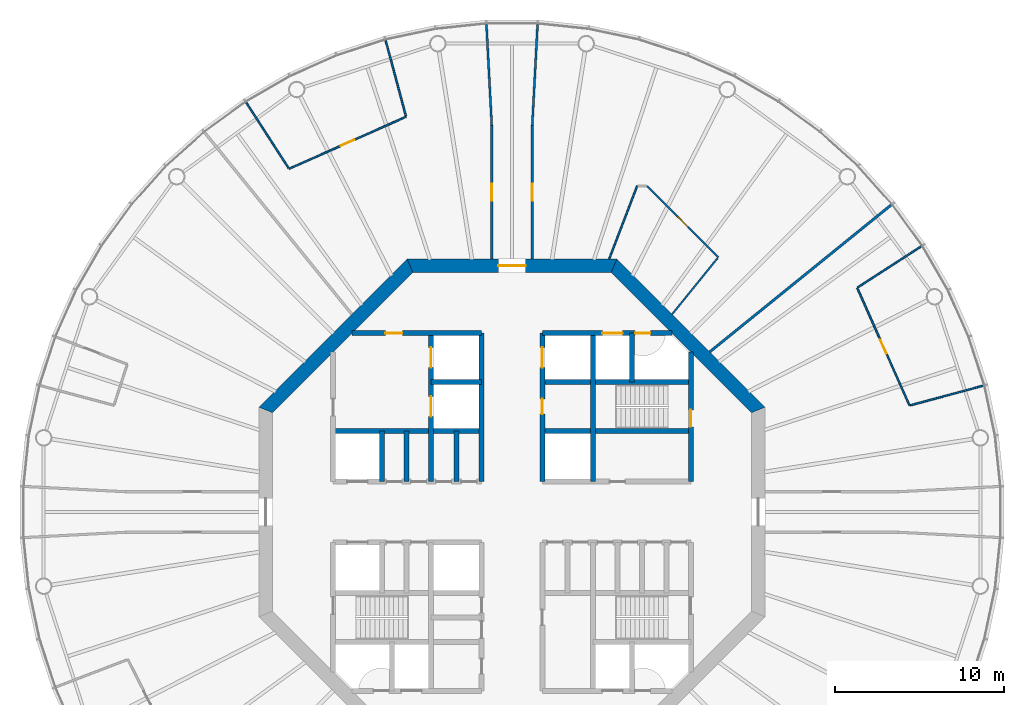
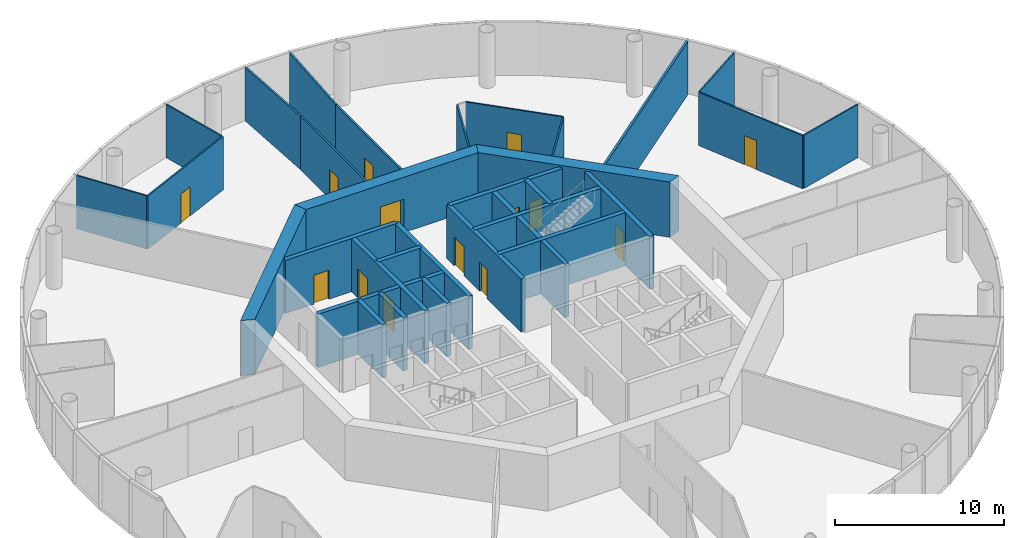
# One storey, part 5 of 13: 32 walls, 14 doors, 14 openings.
"""IFC4 building model written with IfcOpenShell, lengths in metres."""

from ifc_helpers import new_model, si_unit, direction, frame, frame_2d, origin, place, context, subcontext, project, spatial, polyline, rectangle, outline, extrude, material, layer, layer_set, type_object, element, fill, save


model = new_model("IFC4")

# Units and contexts
model_context = context("Model", 3, precision=1e-05, world=origin(), true_north=direction((0.0, 1.0)))
body_context = subcontext(model_context, "Body", "Model", "MODEL_VIEW")
ifc_project = project(units=[si_unit("LENGTHUNIT", "METRE"), si_unit("AREAUNIT", "SQUARE_METRE"), si_unit("VOLUMEUNIT", "CUBIC_METRE"), si_unit("PLANEANGLEUNIT", "RADIAN"), si_unit("MASSUNIT", "GRAM", prefix="KILO")], contexts=[model_context])

# Site, building, storey
site_placement = place(None, origin())
site = spatial("IfcSite", under=ifc_project, at=site_placement, CompositionType="ELEMENT")
building_placement = place(site_placement, origin())
building = spatial("IfcBuilding", under=site, at=building_placement, Name="Entoto Ring Tower", CompositionType="ELEMENT")
storey_placement = place(building_placement, frame((0.0, 0.0, 318.0)))
storey = spatial("IfcBuildingStorey", under=building, at=storey_placement, Name="L73", CompositionType="ELEMENT", Elevation=318.0)

# Wall, opening, door
ifc_material_1 = material(Name="Concrete C40/50", Category="concrete")
ifc_layer_1 = layer(ifc_material_1, 0.300048828125)
ifc_layer_set_1 = layer_set([ifc_layer_1], Name="Concrete C40/50")
wall_type_1 = type_object("IfcWallType", Name="Core enclosure wall 300 mm reinforced concrete", PredefinedType="SOLIDWALL", material=ifc_layer_set_1)
wall_1_placement = place(storey_placement, frame((100.60009765625, 81.800048828125, 0.0), z_axis=(0.0, 0.0, 1.0), x_axis=(0.0, 1.0, 0.0)))
wall_1 = element("IfcWall", 1, at=wall_1_placement, inside=storey, type_object=wall_type_1, Name="wall-L73-002", PredefinedType="SOLIDWALL", context=body_context, shape_type="SweptSolid", body=[
    extrude(rectangle(XDim=7.681640625, YDim=0.300048828125, at=frame_2d((3.8408203125, 0.0))), origin(), (0.0, 0.0, 1.0), 3.85009765625),
])
opening_1_placement = place(wall_1_placement, frame((3.25, 0.0, 0.0)))
opening_1 = element("IfcOpeningElement", 2, at=opening_1_placement, cuts=wall_1, Name="Opening K-29", PredefinedType="OPENING", context=body_context, shape_type="SweptSolid", body=[
    extrude(rectangle(XDim=1.0, YDim=2.10009765625, at=frame_2d((0.5, 1.050048828125))), frame((0.0, 0.16015625, 0.0), z_axis=(0.0, -1.0, 0.0), x_axis=(1.0, 0.0, 0.0)), (0.0, 0.0, 1.0), 0.320068359375),
])
ifc_material_2 = material(Name="Steel door leaf, fire rated", Category="steel")
ifc_layer_2 = layer(ifc_material_2, 0.050048828125)
ifc_layer_set_2 = layer_set([ifc_layer_2], Name="Steel door leaf, fire rated")
door_type_1 = type_object("IfcDoorType", Name="Fire door FD60 1000 x 2100 single leaf", OperationType="NOTDEFINED", PredefinedType="DOOR", material=ifc_layer_set_2)
door_1_placement = place(opening_1_placement, origin())
door_1 = element("IfcDoor", 3, at=door_1_placement, inside=storey, type_object=door_type_1, Name="Door K-29", OperationType="SINGLE_SWING_LEFT", OverallHeight=2.10009765625, OverallWidth=1.0, PredefinedType="DOOR", context=body_context, shape_type="SweptSolid", body=[
    extrude(rectangle(XDim=1.0, YDim=2.10009765625, at=frame_2d((0.5, 1.050048828125))), frame((0.0, 0.02490234375, 0.0), z_axis=(0.0, -1.0, 0.0), x_axis=(1.0, 0.0, 0.0)), (0.0, 0.0, 1.0), 0.050048828125),
])
fill(opening_1, door_1)

# Walls
wall_2_placement = place(storey_placement, frame((97.10009765625, 87.699951171875, 0.0), z_axis=(0.0, 0.0, 1.0), x_axis=(0.0, 1.0, 0.0)))
element("IfcWall", 4, at=wall_2_placement, inside=storey, type_object=wall_type_1, Name="wall-L73-006", PredefinedType="SOLIDWALL", context=body_context, shape_type="SweptSolid", body=[
    extrude(rectangle(XDim=2.900146484375, YDim=0.300048828125, at=frame_2d((1.4501953125, 0.0))), origin(), (0.0, 0.0, 1.0), 3.85009765625),
])
wall_3_placement = place(storey_placement, frame((94.800048828125, 81.800048828125, 0.0), z_axis=(0.0, 0.0, 1.0), x_axis=(0.0, 1.0, 0.0)))
element("IfcWall", 5, at=wall_3_placement, inside=storey, type_object=wall_type_1, Name="wall-L73-009", PredefinedType="SOLIDWALL", context=body_context, shape_type="SweptSolid", body=[
    extrude(rectangle(XDim=8.800048828125, YDim=0.300048828125, at=frame_2d((4.39990234375, 0.0))), origin(), (0.0, 0.0, 1.0), 3.85009765625),
])

# Wall, openings, doors
wall_4_placement = place(storey_placement, frame((91.800048828125, 81.800048828125, 0.0), z_axis=(0.0, 0.0, 1.0), x_axis=(0.0, 1.0, 0.0)))
wall_4 = element("IfcWall", 6, at=wall_4_placement, inside=storey, type_object=wall_type_1, Name="wall-L73-012", PredefinedType="SOLIDWALL", context=body_context, shape_type="SweptSolid", body=[
    extrude(rectangle(XDim=8.800048828125, YDim=0.300048828125, at=frame_2d((4.39990234375, 0.0))), origin(), (0.0, 0.0, 1.0), 3.85009765625),
])
opening_2_placement = place(wall_4_placement, frame((6.75, 0.0, 0.0)))
opening_2 = element("IfcOpeningElement", 7, at=opening_2_placement, cuts=wall_4, Name="Opening LD", PredefinedType="OPENING", context=body_context, shape_type="SweptSolid", body=[
    extrude(rectangle(XDim=1.199951171875, YDim=2.10009765625, at=frame_2d((0.60009765625, 1.050048828125))), frame((0.0, 0.16015625, 0.0), z_axis=(0.0, -1.0, 0.0), x_axis=(1.0, 0.0, 0.0)), (0.0, 0.0, 1.0), 0.320068359375),
])
opening_3_placement = place(wall_4_placement, frame((4.0, 0.0, 0.0)))
opening_3 = element("IfcOpeningElement", 8, at=opening_3_placement, cuts=wall_4, Name="Opening K-63", PredefinedType="OPENING", context=body_context, shape_type="SweptSolid", body=[
    extrude(rectangle(XDim=0.89990234375, YDim=2.10009765625, at=frame_2d((0.449951171875, 1.050048828125))), frame((0.0, 0.16015625, 0.0), z_axis=(0.0, -1.0, 0.0), x_axis=(1.0, 0.0, 0.0)), (0.0, 0.0, 1.0), 0.320068359375),
])
ifc_material_3 = material(Name="Steel door leaf, fire rated", Category="steel")
ifc_layer_3 = layer(ifc_material_3, 0.050048828125)
ifc_layer_set_3 = layer_set([ifc_layer_3], Name="Steel door leaf, fire rated")
door_type_2 = type_object("IfcDoorType", Name="Core door 900 x 2100 single leaf", OperationType="NOTDEFINED", PredefinedType="DOOR", material=ifc_layer_set_3)
door_2_placement = place(opening_3_placement, frame((0.89990234375, 0.0, 0.0), z_axis=(0.0, 0.0, 1.0), x_axis=(-1.0, 0.0, 0.0)))
door_2 = element("IfcDoor", 9, at=door_2_placement, inside=storey, type_object=door_type_2, Name="Door K-63", OperationType="SINGLE_SWING_RIGHT", OverallHeight=2.10009765625, OverallWidth=0.89990234375, PredefinedType="DOOR", context=body_context, shape_type="SweptSolid", body=[
    extrude(rectangle(XDim=0.89990234375, YDim=2.10009765625, at=frame_2d((0.449951171875, 1.050048828125))), frame((0.0, 0.02490234375, 0.0), z_axis=(0.0, -1.0, 0.0), x_axis=(1.0, 0.0, 0.0)), (0.0, 0.0, 1.0), 0.050048828125),
])
fill(opening_3, door_2)
ifc_material_4 = material(Name="Steel and glass door leaf", Category="steel")
ifc_layer_4 = layer(ifc_material_4, 0.050048828125)
ifc_layer_set_4 = layer_set([ifc_layer_4], Name="Steel and glass door leaf")
door_type_3 = type_object("IfcDoorType", Name="Landing door 1200 x 2100 sliding", OperationType="DOUBLE_DOOR_SLIDING", PredefinedType="DOOR", material=ifc_layer_set_4)
door_3_placement = place(opening_2_placement, origin())
door_3 = element("IfcDoor", 10, at=door_3_placement, inside=storey, type_object=door_type_3, Name="Landing door SH3", OperationType="SLIDING_TO_RIGHT", OverallHeight=2.10009765625, OverallWidth=1.199951171875, PredefinedType="DOOR", context=body_context, shape_type="SweptSolid", body=[
    extrude(rectangle(XDim=1.199951171875, YDim=2.10009765625, at=frame_2d((0.60009765625, 1.050048828125))), frame((0.0, 0.02490234375, 0.0), z_axis=(0.0, -1.0, 0.0), x_axis=(1.0, 0.0, 0.0)), (0.0, 0.0, 1.0), 0.050048828125),
])
fill(opening_2, door_3)

# Walls
wall_5_placement = place(storey_placement, frame((88.199951171875, 81.800048828125, 0.0), z_axis=(0.0, 0.0, 1.0), x_axis=(0.0, 1.0, 0.0)))
element("IfcWall", 11, at=wall_5_placement, inside=storey, type_object=wall_type_1, Name="wall-L73-014", PredefinedType="SOLIDWALL", context=body_context, shape_type="SweptSolid", body=[
    extrude(rectangle(XDim=8.800048828125, YDim=0.300048828125, at=frame_2d((4.39990234375, 0.0))), origin(), (0.0, 0.0, 1.0), 3.85009765625),
])
wall_6_placement = place(storey_placement, frame((86.699951171875, 81.800048828125, 0.0), z_axis=(0.0, 0.0, 1.0), x_axis=(0.0, 1.0, 0.0)))
element("IfcWall", 12, at=wall_6_placement, inside=storey, type_object=wall_type_1, Name="wall-L73-015", PredefinedType="SOLIDWALL", context=body_context, shape_type="SweptSolid", body=[
    extrude(rectangle(XDim=3.0, YDim=0.300048828125, at=frame_2d((1.5, 0.0))), origin(), (0.0, 0.0, 1.0), 3.85009765625),
])

# Wall, openings, doors
wall_7_placement = place(storey_placement, frame((85.199951171875, 81.800048828125, 0.0), z_axis=(0.0, 0.0, 1.0), x_axis=(0.0, 1.0, 0.0)))
wall_7 = element("IfcWall", 13, at=wall_7_placement, inside=storey, type_object=wall_type_1, Name="wall-L73-017", PredefinedType="SOLIDWALL", context=body_context, shape_type="SweptSolid", body=[
    extrude(rectangle(XDim=8.800048828125, YDim=0.300048828125, at=frame_2d((4.39990234375, 0.0))), origin(), (0.0, 0.0, 1.0), 3.85009765625),
])
opening_4_placement = place(wall_7_placement, frame((3.85009765625, 0.0, 0.0)))
opening_4 = element("IfcOpeningElement", 14, at=opening_4_placement, cuts=wall_7, Name="Opening LD", PredefinedType="OPENING", context=body_context, shape_type="SweptSolid", body=[
    extrude(rectangle(XDim=1.199951171875, YDim=2.10009765625, at=frame_2d((0.60009765625, 1.050048828125))), frame((0.0, 0.16015625, 0.0), z_axis=(0.0, -1.0, 0.0), x_axis=(1.0, 0.0, 0.0)), (0.0, 0.0, 1.0), 0.320068359375),
])
opening_5_placement = place(wall_7_placement, frame((6.75, 0.0, 0.0)))
opening_5 = element("IfcOpeningElement", 15, at=opening_5_placement, cuts=wall_7, Name="Opening LD", PredefinedType="OPENING", context=body_context, shape_type="SweptSolid", body=[
    extrude(rectangle(XDim=1.199951171875, YDim=2.10009765625, at=frame_2d((0.60009765625, 1.050048828125))), frame((0.0, 0.16015625, 0.0), z_axis=(0.0, -1.0, 0.0), x_axis=(1.0, 0.0, 0.0)), (0.0, 0.0, 1.0), 0.320068359375),
])
door_4_placement = place(opening_4_placement, origin())
door_4 = element("IfcDoor", 16, at=door_4_placement, inside=storey, type_object=door_type_3, Name="Landing door FF1", OperationType="SLIDING_TO_RIGHT", OverallHeight=2.10009765625, OverallWidth=1.199951171875, PredefinedType="DOOR", context=body_context, shape_type="SweptSolid", body=[
    extrude(rectangle(XDim=1.199951171875, YDim=2.10009765625, at=frame_2d((0.60009765625, 1.050048828125))), frame((0.0, 0.02490234375, 0.0), z_axis=(0.0, -1.0, 0.0), x_axis=(1.0, 0.0, 0.0)), (0.0, 0.0, 1.0), 0.050048828125),
])
fill(opening_4, door_4)
door_5_placement = place(opening_5_placement, origin())
door_5 = element("IfcDoor", 17, at=door_5_placement, inside=storey, type_object=door_type_3, Name="Landing door FF2", OperationType="SLIDING_TO_RIGHT", OverallHeight=2.10009765625, OverallWidth=1.199951171875, PredefinedType="DOOR", context=body_context, shape_type="SweptSolid", body=[
    extrude(rectangle(XDim=1.199951171875, YDim=2.10009765625, at=frame_2d((0.60009765625, 1.050048828125))), frame((0.0, 0.02490234375, 0.0), z_axis=(0.0, -1.0, 0.0), x_axis=(1.0, 0.0, 0.0)), (0.0, 0.0, 1.0), 0.050048828125),
])
fill(opening_5, door_5)

# Walls
for number, where, z_axis, x_axis, name in (
    (18, (83.75, 81.800048828125, 0.0), (0.0, 0.0, 1.0), (0.0, 1.0, 0.0), "wall-L73-019"),
    (19, (82.300048828125, 81.800048828125, 0.0), (0.0, 0.0, 1.0), (0.0, 1.0, 0.0), "wall-L73-022"),
):
    element("IfcWall", number, at=place(storey_placement, frame(where, z_axis=z_axis, x_axis=x_axis)), inside=storey, type_object=wall_type_1, Name=name, PredefinedType="SOLIDWALL", context=body_context, shape_type="SweptSolid", body=[
        extrude(rectangle(XDim=3.0, YDim=0.300048828125, at=frame_2d((1.5, 0.0))), origin(), (0.0, 0.0, 1.0), 3.85009765625),
    ])
for number, where, z_axis, x_axis, name in (
    (20, (79.39990234375, 84.800048828125, 0.0), (0.0, 0.0, 1.0), (1.0, 0.0, 0.0), "wall-L73-036"),
    (21, (91.800048828125, 84.800048828125, 0.0), (0.0, 0.0, 1.0), (1.0, 0.0, 0.0), "wall-L73-037"),
):
    element("IfcWall", number, at=place(storey_placement, frame(where, z_axis=z_axis, x_axis=x_axis)), inside=storey, type_object=wall_type_1, Name=name, PredefinedType="SOLIDWALL", context=body_context, shape_type="SweptSolid", body=[
        extrude(rectangle(XDim=8.800048828125, YDim=0.300048828125, at=frame_2d((4.39990234375, 0.0))), origin(), (0.0, 0.0, 1.0), 3.85009765625),
    ])
wall_8_placement = place(storey_placement, frame((85.199951171875, 87.699951171875, 0.0), z_axis=(0.0, 0.0, 1.0), x_axis=(1.0, 0.0, 0.0)))
element("IfcWall", 22, at=wall_8_placement, inside=storey, type_object=wall_type_1, Name="wall-L73-038", PredefinedType="SOLIDWALL", context=body_context, shape_type="SweptSolid", body=[
    extrude(rectangle(XDim=3.0, YDim=0.300048828125, at=frame_2d((1.5, 0.0))), origin(), (0.0, 0.0, 1.0), 3.85009765625),
])
wall_9_placement = place(storey_placement, frame((91.800048828125, 87.699951171875, 0.0), z_axis=(0.0, 0.0, 1.0), x_axis=(1.0, 0.0, 0.0)))
element("IfcWall", 23, at=wall_9_placement, inside=storey, type_object=wall_type_1, Name="wall-L73-039", PredefinedType="SOLIDWALL", context=body_context, shape_type="SweptSolid", body=[
    extrude(rectangle(XDim=8.800048828125, YDim=0.300048828125, at=frame_2d((4.39990234375, 0.0))), origin(), (0.0, 0.0, 1.0), 3.85009765625),
])

# Wall, opening, door
wall_10_placement = place(storey_placement, frame((80.518310546875, 90.60009765625, 0.0), z_axis=(0.0, 0.0, 1.0), x_axis=(1.0, 0.0, 0.0)))
wall_10 = element("IfcWall", 24, at=wall_10_placement, inside=storey, type_object=wall_type_1, Name="wall-L73-040", PredefinedType="SOLIDWALL", context=body_context, shape_type="SweptSolid", body=[
    extrude(rectangle(XDim=7.681640625, YDim=0.300048828125, at=frame_2d((3.8408203125, 0.0))), origin(), (0.0, 0.0, 1.0), 3.85009765625),
])
opening_6_placement = place(wall_10_placement, frame((1.981689453125, 0.0, 0.0)))
opening_6 = element("IfcOpeningElement", 25, at=opening_6_placement, cuts=wall_10, Name="Opening K-36", PredefinedType="OPENING", context=body_context, shape_type="SweptSolid", body=[
    extrude(rectangle(XDim=1.0, YDim=2.10009765625, at=frame_2d((0.5, 1.050048828125))), frame((0.0, 0.16015625, 0.0), z_axis=(0.0, -1.0, 0.0), x_axis=(1.0, 0.0, 0.0)), (0.0, 0.0, 1.0), 0.320068359375),
])
door_6_placement = place(opening_6_placement, frame((1.0, 0.0, 0.0), z_axis=(0.0, 0.0, 1.0), x_axis=(-1.0, 0.0, 0.0)))
door_6 = element("IfcDoor", 26, at=door_6_placement, inside=storey, type_object=door_type_1, Name="Door K-36", OperationType="SINGLE_SWING_LEFT", OverallHeight=2.10009765625, OverallWidth=1.0, PredefinedType="DOOR", context=body_context, shape_type="SweptSolid", body=[
    extrude(rectangle(XDim=1.0, YDim=2.10009765625, at=frame_2d((0.5, 1.050048828125))), frame((0.0, 0.02490234375, 0.0), z_axis=(0.0, -1.0, 0.0), x_axis=(1.0, 0.0, 0.0)), (0.0, 0.0, 1.0), 0.050048828125),
])
fill(opening_6, door_6)

# Wall, openings, doors
wall_11_placement = place(storey_placement, frame((91.800048828125, 90.60009765625, 0.0), z_axis=(0.0, 0.0, 1.0), x_axis=(1.0, 0.0, 0.0)))
wall_11 = element("IfcWall", 27, at=wall_11_placement, inside=storey, type_object=wall_type_1, Name="wall-L73-041", PredefinedType="SOLIDWALL", context=body_context, shape_type="SweptSolid", body=[
    extrude(rectangle(XDim=7.681640625, YDim=0.300048828125, at=frame_2d((3.8408203125, 0.0))), origin(), (0.0, 0.0, 1.0), 3.85009765625),
])
opening_7_placement = place(wall_11_placement, frame((3.550048828125, 0.0, 0.0)))
opening_7 = element("IfcOpeningElement", 28, at=opening_7_placement, cuts=wall_11, Name="Opening LD", PredefinedType="OPENING", context=body_context, shape_type="SweptSolid", body=[
    extrude(rectangle(XDim=1.199951171875, YDim=2.10009765625, at=frame_2d((0.60009765625, 1.050048828125))), frame((0.0, 0.16015625, 0.0), z_axis=(0.0, -1.0, 0.0), x_axis=(1.0, 0.0, 0.0)), (0.0, 0.0, 1.0), 0.320068359375),
])
opening_8_placement = place(wall_11_placement, frame((5.5, 0.0, 0.0)))
opening_8 = element("IfcOpeningElement", 29, at=opening_8_placement, cuts=wall_11, Name="Opening K-32", PredefinedType="OPENING", context=body_context, shape_type="SweptSolid", body=[
    extrude(rectangle(XDim=0.89990234375, YDim=2.10009765625, at=frame_2d((0.449951171875, 1.050048828125))), frame((0.0, 0.16015625, 0.0), z_axis=(0.0, -1.0, 0.0), x_axis=(1.0, 0.0, 0.0)), (0.0, 0.0, 1.0), 0.320068359375),
])
door_7_placement = place(opening_7_placement, origin())
door_7 = element("IfcDoor", 30, at=door_7_placement, inside=storey, type_object=door_type_3, Name="Landing door LB1-HR", OperationType="SLIDING_TO_RIGHT", OverallHeight=2.10009765625, OverallWidth=1.199951171875, PredefinedType="DOOR", context=body_context, shape_type="SweptSolid", body=[
    extrude(rectangle(XDim=1.199951171875, YDim=2.10009765625, at=frame_2d((0.60009765625, 1.050048828125))), frame((0.0, 0.02490234375, 0.0), z_axis=(0.0, -1.0, 0.0), x_axis=(1.0, 0.0, 0.0)), (0.0, 0.0, 1.0), 0.050048828125),
])
fill(opening_7, door_7)
ifc_material_5 = material(Name="Steel door leaf, fire rated", Category="steel")
ifc_layer_5 = layer(ifc_material_5, 0.050048828125)
ifc_layer_set_5 = layer_set([ifc_layer_5], Name="Steel door leaf, fire rated")
door_type_4 = type_object("IfcDoorType", Name="Riser door FD60 900 x 2100 single leaf", OperationType="NOTDEFINED", PredefinedType="DOOR", material=ifc_layer_set_5)
door_8_placement = place(opening_8_placement, frame((0.89990234375, 0.0, 0.0), z_axis=(0.0, 0.0, 1.0), x_axis=(-1.0, 0.0, 0.0)))
door_8 = element("IfcDoor", 31, at=door_8_placement, inside=storey, type_object=door_type_4, Name="Door K-32", OperationType="SINGLE_SWING_RIGHT", OverallHeight=2.10009765625, OverallWidth=0.89990234375, PredefinedType="DOOR", context=body_context, shape_type="SweptSolid", body=[
    extrude(rectangle(XDim=0.89990234375, YDim=2.10009765625, at=frame_2d((0.449951171875, 1.050048828125))), frame((0.0, 0.02490234375, 0.0), z_axis=(0.0, -1.0, 0.0), x_axis=(1.0, 0.0, 0.0)), (0.0, 0.0, 1.0), 0.050048828125),
])
fill(opening_8, door_8)

# Wall
ifc_material_6 = material(Name="Concrete C40/50", Category="concrete")
ifc_layer_6 = layer(ifc_material_6, 0.800048828125)
ifc_layer_set_6 = layer_set([ifc_layer_6], Name="Concrete C40/50")
wall_type_2 = type_object("IfcWallType", Name="Core shear wall 800 mm reinforced concrete C40/50", PredefinedType="SHEAR", material=ifc_layer_set_6)
wall_12_placement = place(storey_placement, frame((104.60009765625, 86.047607421875, 0.0), z_axis=(0.0, 0.0, 1.0), x_axis=(-0.707106781187, 0.707106781187, 0.0)))
element("IfcWall", 32, at=wall_12_placement, inside=storey, type_object=wall_type_2, Name="wall-L73-core-1", PredefinedType="SHEAR", context=body_context, shape_type="SweptSolid", body=[
    extrude(outline(polyline([(-0.165771484375, -0.39990234375), (12.2607421875, -0.39990234375), (11.92919921875, 0.39990234375), (0.165771484375, 0.39990234375), (-0.165771484375, -0.39990234375)])), origin(), (0.0, 0.0, 1.0), 4.0),
])

# Wall, opening, door
wall_13_placement = place(storey_placement, frame((96.047607421875, 94.60009765625, 0.0), z_axis=(0.0, 0.0, 1.0), x_axis=(-1.0, 0.0, 0.0)))
wall_13 = element("IfcWall", 33, at=wall_13_placement, inside=storey, type_object=wall_type_2, Name="wall-L73-core-2", PredefinedType="SHEAR", context=body_context, shape_type="SweptSolid", body=[
    extrude(outline(polyline([(-0.165771484375, -0.39990234375), (12.260986328125, -0.39990234375), (11.929443359375, 0.39990234375), (0.165771484375, 0.39990234375), (-0.165771484375, -0.39990234375)])), origin(), (0.0, 0.0, 1.0), 4.0),
])
opening_9_placement = place(wall_13_placement, frame((5.24755859375, 0.0, 0.0)))
opening_9 = element("IfcOpeningElement", 34, at=opening_9_placement, cuts=wall_13, Name="Opening K-02", PredefinedType="OPENING", context=body_context, shape_type="SweptSolid", body=[
    extrude(rectangle(XDim=1.60009765625, YDim=2.39990234375, at=frame_2d((0.800048828125, 1.199951171875))), frame((0.0, 0.41015625, 0.0), z_axis=(0.0, -1.0, 0.0), x_axis=(1.0, 0.0, 0.0)), (0.0, 0.0, 1.0), 0.820068359375),
])
ifc_material_7 = material(Name="Steel door leaf, fire rated", Category="steel")
ifc_layer_7 = layer(ifc_material_7, 0.050048828125)
ifc_layer_set_7 = layer_set([ifc_layer_7], Name="Steel door leaf, fire rated")
door_type_5 = type_object("IfcDoorType", Name="Entrance door FD60 1600 x 2400 double leaf", OperationType="DOUBLE_DOOR_SINGLE_SWING", PredefinedType="DOOR", material=ifc_layer_set_7)
door_9_placement = place(opening_9_placement, origin())
door_9 = element("IfcDoor", 35, at=door_9_placement, inside=storey, type_object=door_type_5, Name="Entrance door K-02", OperationType="DOUBLE_DOOR_SINGLE_SWING", OverallHeight=2.39990234375, OverallWidth=1.60009765625, PredefinedType="DOOR", context=body_context, shape_type="SweptSolid", body=[
    extrude(rectangle(XDim=1.60009765625, YDim=2.39990234375, at=frame_2d((0.800048828125, 1.199951171875))), frame((0.0, 0.02490234375, 0.0), z_axis=(0.0, -1.0, 0.0), x_axis=(1.0, 0.0, 0.0)), (0.0, 0.0, 1.0), 0.050048828125),
])
fill(opening_9, door_9)

# Wall
wall_14_placement = place(storey_placement, frame((83.952392578125, 94.60009765625, 0.0), z_axis=(0.0, 0.0, 1.0), x_axis=(-0.707106781187, -0.707106781187, 0.0)))
element("IfcWall", 36, at=wall_14_placement, inside=storey, type_object=wall_type_2, Name="wall-L73-core-3", PredefinedType="SHEAR", context=body_context, shape_type="SweptSolid", body=[
    extrude(outline(polyline([(-0.165771484375, -0.39990234375), (12.2607421875, -0.39990234375), (11.92919921875, 0.39990234375), (0.165771484375, 0.39990234375), (-0.165771484375, -0.39990234375)])), origin(), (0.0, 0.0, 1.0), 4.0),
])

# Wall, opening, door
ifc_material_8 = material(Name="Fire-resisting plasterboard on steel studs", Category="steel")
ifc_layer_8 = layer(ifc_material_8, 0.125)
ifc_layer_set_8 = layer_set([ifc_layer_8], Name="Fire-resisting plasterboard on steel studs")
wall_type_3 = type_object("IfcWallType", Name="Corridor wall 125 mm one-hour plasterboard on steel studs", PredefinedType="PARTITIONING", material=ifc_layer_set_8)
wall_15_placement = place(storey_placement, frame((88.800048828125, 95.0, 0.0), z_axis=(0.0, 0.0, 1.0), x_axis=(0.0, 1.0, 0.0)))
wall_15 = element("IfcWall", 37, at=wall_15_placement, inside=storey, type_object=wall_type_3, Name="partition-L73-004", PredefinedType="PARTITIONING", context=body_context, shape_type="SweptSolid", body=[
    extrude(rectangle(XDim=7.8974609375, YDim=0.125, at=frame_2d((3.94873046875, 0.0))), origin(), (0.0, 0.0, 1.0), 3.85009765625),
])
opening_10_placement = place(wall_15_placement, frame((3.44873046875, 0.0, 0.0)))
opening_10 = element("IfcOpeningElement", 38, at=opening_10_placement, cuts=wall_15, Name="Opening A31-D05", PredefinedType="OPENING", context=body_context, shape_type="SweptSolid", body=[
    extrude(rectangle(XDim=1.0, YDim=2.10009765625, at=frame_2d((0.5, 1.050048828125))), frame((0.0, 0.072509765625, 0.0), z_axis=(0.0, -1.0, 0.0), x_axis=(1.0, 0.0, 0.0)), (0.0, 0.0, 1.0), 0.14501953125),
])
ifc_material_9 = material(Name="Fire-resisting timber door set", Category="wood")
door_type_6 = type_object("IfcDoorType", Name="Door 1000 x 2100 single leaf FD30S fire door", OperationType="NOTDEFINED", PredefinedType="DOOR", material=ifc_material_9)
door_10_placement = place(opening_10_placement, origin())
door_10 = element("IfcDoor", 39, at=door_10_placement, inside=storey, type_object=door_type_6, Name="Door A31-D05", OperationType="SINGLE_SWING_LEFT", OverallHeight=2.10009765625, OverallWidth=1.0, PredefinedType="DOOR", context=body_context, shape_type="SweptSolid", body=[
    extrude(rectangle(XDim=1.0, YDim=2.10009765625, at=frame_2d((0.5, 1.050048828125))), frame((0.0, 0.02490234375, 0.0), z_axis=(0.0, -1.0, 0.0), x_axis=(1.0, 0.0, 0.0)), (0.0, 0.0, 1.0), 0.050048828125),
])
fill(opening_10, door_10)

wall_16_placement = place(storey_placement, frame((91.199951171875, 95.0, 0.0), z_axis=(0.0, 0.0, 1.0), x_axis=(0.0, 1.0, 0.0)))
wall_16 = element("IfcWall", 40, at=wall_16_placement, inside=storey, type_object=wall_type_3, Name="partition-L73-006", PredefinedType="PARTITIONING", context=body_context, shape_type="SweptSolid", body=[
    extrude(rectangle(XDim=7.8974609375, YDim=0.125, at=frame_2d((3.94873046875, 0.0))), origin(), (0.0, 0.0, 1.0), 3.85009765625),
])
opening_11_placement = place(wall_16_placement, frame((3.44873046875, 0.0, 0.0)))
opening_11 = element("IfcOpeningElement", 41, at=opening_11_placement, cuts=wall_16, Name="Opening A31-D03", PredefinedType="OPENING", context=body_context, shape_type="SweptSolid", body=[
    extrude(rectangle(XDim=1.0, YDim=2.10009765625, at=frame_2d((0.5, 1.050048828125))), frame((0.0, 0.072509765625, 0.0), z_axis=(0.0, -1.0, 0.0), x_axis=(1.0, 0.0, 0.0)), (0.0, 0.0, 1.0), 0.14501953125),
])
door_11_placement = place(opening_11_placement, frame((1.0, 0.0, 0.0), z_axis=(0.0, 0.0, 1.0), x_axis=(-1.0, 0.0, 0.0)))
door_11 = element("IfcDoor", 42, at=door_11_placement, inside=storey, type_object=door_type_6, Name="Door A31-D03", OperationType="SINGLE_SWING_RIGHT", OverallHeight=2.10009765625, OverallWidth=1.0, PredefinedType="DOOR", context=body_context, shape_type="SweptSolid", body=[
    extrude(rectangle(XDim=1.0, YDim=2.10009765625, at=frame_2d((0.5, 1.050048828125))), frame((0.0, 0.02490234375, 0.0), z_axis=(0.0, -1.0, 0.0), x_axis=(1.0, 0.0, 0.0)), (0.0, 0.0, 1.0), 0.050048828125),
])
fill(opening_11, door_11)

# Walls
for number, where, z_axis, x_axis, name in (
    (43, (88.7998046875, 102.900634765625, 0.0), (0.0, 0.0, 1.0), (-0.052339150565, 0.998629367342, 0.0), "partition-L73-012"),
    (44, (91.2001953125, 102.900634765625, 0.0), (0.0, 0.0, 1.0), (0.052339150565, 0.998629367342, 0.0), "partition-L73-013"),
):
    element("IfcWall", number, at=place(storey_placement, frame(where, z_axis=z_axis, x_axis=x_axis)), inside=storey, type_object=wall_type_3, Name=name, PredefinedType="PARTITIONING", context=body_context, shape_type="SweptSolid", body=[
        extrude(rectangle(XDim=6.008056640625, YDim=0.125, at=frame_2d((3.00390625, 0.0))), origin(), (0.0, 0.0, 1.0), 3.85009765625),
    ])

# Wall, opening, door
ifc_material_10 = material(Name="Plasterboard on steel studs", Category="steel")
ifc_layer_9 = layer(ifc_material_10, 0.10009765625)
ifc_layer_set_9 = layer_set([ifc_layer_9], Name="Plasterboard on steel studs")
wall_type_4 = type_object("IfcWallType", Name="Partition 100 mm plasterboard on steel studs", PredefinedType="PARTITIONING", material=ifc_layer_set_9)
wall_17_placement = place(storey_placement, frame((113.558837890625, 86.3125, 0.0), z_axis=(0.0, 0.0, 1.0), x_axis=(-0.406735044225, 0.913546169495, 0.0)))
wall_17 = element("IfcWall", 45, at=wall_17_placement, inside=storey, type_object=wall_type_4, Name="partition-L73-021", PredefinedType="PARTITIONING", context=body_context, shape_type="SweptSolid", body=[
    extrude(rectangle(XDim=7.630859375, YDim=0.10009765625, at=frame_2d((3.8154296875, 0.0))), origin(), (0.0, 0.0, 1.0), 3.85009765625),
])
opening_12_placement = place(wall_17_placement, frame((3.365478515625, 0.0, 0.0)))
opening_12 = element("IfcOpeningElement", 46, at=opening_12_placement, cuts=wall_17, Name="Opening A31-D02", PredefinedType="OPENING", context=body_context, shape_type="SweptSolid", body=[
    extrude(rectangle(XDim=0.89990234375, YDim=2.10009765625, at=frame_2d((0.449951171875, 1.050048828125))), frame((0.0, 0.06005859375, 0.0), z_axis=(0.0, -1.0, 0.0), x_axis=(1.0, 0.0, 0.0)), (0.0, 0.0, 1.0), 0.1201171875),
])
ifc_material_11 = material(Name="Veneered timber door leaf in timber frame", Category="wood")
door_type_7 = type_object("IfcDoorType", Name="Door 900 x 2100 single leaf timber veneer", OperationType="NOTDEFINED", PredefinedType="DOOR", material=ifc_material_11)
door_12_placement = place(opening_12_placement, frame((0.89990234375, 0.0, 0.0), z_axis=(0.0, 0.0, 1.0), x_axis=(-1.0, 0.0, 0.0)))
door_12 = element("IfcDoor", 47, at=door_12_placement, inside=storey, type_object=door_type_7, Name="Door A31-D02", OperationType="SINGLE_SWING_RIGHT", OverallHeight=2.10009765625, OverallWidth=0.89990234375, PredefinedType="DOOR", context=body_context, shape_type="SweptSolid", body=[
    extrude(rectangle(XDim=0.89990234375, YDim=2.10009765625, at=frame_2d((0.449951171875, 1.050048828125))), frame((0.0, 0.02490234375, 0.0), z_axis=(0.0, -1.0, 0.0), x_axis=(1.0, 0.0, 0.0)), (0.0, 0.0, 1.0), 0.050048828125),
])
fill(opening_12, door_12)

wall_18_placement = place(storey_placement, frame((76.79248046875, 100.337890625, 0.0), z_axis=(0.0, 0.0, 1.0), x_axis=(0.913557920671, 0.406708649502, 0.0)))
wall_18 = element("IfcWall", 48, at=wall_18_placement, inside=storey, type_object=wall_type_4, Name="partition-L73-022", PredefinedType="PARTITIONING", context=body_context, shape_type="SweptSolid", body=[
    extrude(rectangle(XDim=7.5869140625, YDim=0.10009765625, at=frame_2d((3.79345703125, 0.0))), origin(), (0.0, 0.0, 1.0), 3.85009765625),
])
opening_13_placement = place(wall_18_placement, frame((3.343505859375, 0.0, 0.0)))
opening_13 = element("IfcOpeningElement", 49, at=opening_13_placement, cuts=wall_18, Name="Opening A31-D06", PredefinedType="OPENING", context=body_context, shape_type="SweptSolid", body=[
    extrude(rectangle(XDim=0.89990234375, YDim=2.10009765625, at=frame_2d((0.449951171875, 1.050048828125))), frame((0.0, 0.06005859375, 0.0), z_axis=(0.0, -1.0, 0.0), x_axis=(1.0, 0.0, 0.0)), (0.0, 0.0, 1.0), 0.1201171875),
])
door_13_placement = place(opening_13_placement, origin())
door_13 = element("IfcDoor", 50, at=door_13_placement, inside=storey, type_object=door_type_7, Name="Door A31-D06", OperationType="SINGLE_SWING_LEFT", OverallHeight=2.10009765625, OverallWidth=0.89990234375, PredefinedType="DOOR", context=body_context, shape_type="SweptSolid", body=[
    extrude(rectangle(XDim=0.89990234375, YDim=2.10009765625, at=frame_2d((0.449951171875, 1.050048828125))), frame((0.0, 0.02490234375, 0.0), z_axis=(0.0, -1.0, 0.0), x_axis=(1.0, 0.0, 0.0)), (0.0, 0.0, 1.0), 0.050048828125),
])
fill(opening_13, door_13)

wall_19_placement = place(storey_placement, frame((102.225341796875, 95.09716796875, 0.0), z_axis=(0.0, 0.0, 1.0), x_axis=(-0.707086340144, 0.707127221639, 0.0)))
wall_19 = element("IfcWall", 51, at=wall_19_placement, inside=storey, type_object=wall_type_4, Name="partition-L73-023", PredefinedType="PARTITIONING", context=body_context, shape_type="SweptSolid", body=[
    extrude(rectangle(XDim=5.971923828125, YDim=0.10009765625, at=frame_2d((2.98583984375, 0.0))), origin(), (0.0, 0.0, 1.0), 3.85009765625),
])
opening_14_placement = place(wall_19_placement, frame((2.535888671875, 0.0, 0.0)))
opening_14 = element("IfcOpeningElement", 52, at=opening_14_placement, cuts=wall_19, Name="Opening A31-D04", PredefinedType="OPENING", context=body_context, shape_type="SweptSolid", body=[
    extrude(rectangle(XDim=0.89990234375, YDim=2.10009765625, at=frame_2d((0.449951171875, 1.050048828125))), frame((0.0, 0.06005859375, 0.0), z_axis=(0.0, -1.0, 0.0), x_axis=(1.0, 0.0, 0.0)), (0.0, 0.0, 1.0), 0.1201171875),
])
door_14_placement = place(opening_14_placement, origin())
door_14 = element("IfcDoor", 53, at=door_14_placement, inside=storey, type_object=door_type_7, Name="Door A31-D04", OperationType="SINGLE_SWING_LEFT", OverallHeight=2.10009765625, OverallWidth=0.89990234375, PredefinedType="DOOR", context=body_context, shape_type="SweptSolid", body=[
    extrude(rectangle(XDim=0.89990234375, YDim=2.10009765625, at=frame_2d((0.449951171875, 1.050048828125))), frame((0.0, 0.02490234375, 0.0), z_axis=(0.0, -1.0, 0.0), x_axis=(1.0, 0.0, 0.0)), (0.0, 0.0, 1.0), 0.050048828125),
])
fill(opening_14, door_14)

# Walls
wall_20_placement = place(storey_placement, frame((76.765625, 100.379150390625, 0.0), z_axis=(0.0, 0.0, 1.0), x_axis=(-0.544668399465, 0.838651497718, 0.0)))
element("IfcWall", 54, at=wall_20_placement, inside=storey, type_object=wall_type_4, Name="partition-L73-027", PredefinedType="PARTITIONING", context=body_context, shape_type="SweptSolid", body=[
    extrude(rectangle(XDim=4.640625, YDim=0.10009765625, at=frame_2d((2.3203125, 0.0))), origin(), (0.0, 0.0, 1.0), 3.85009765625),
])
wall_21_placement = place(storey_placement, frame((83.7109375, 103.47119140625, 0.0), z_axis=(0.0, 0.0, 1.0), x_axis=(-0.258828119506, 0.965923394764, 0.0)))
element("IfcWall", 55, at=wall_21_placement, inside=storey, type_object=wall_type_4, Name="partition-L73-028", PredefinedType="PARTITIONING", context=body_context, shape_type="SweptSolid", body=[
    extrude(rectangle(XDim=4.640869140625, YDim=0.10009765625, at=frame_2d((2.3203125, 0.0))), origin(), (0.0, 0.0, 1.0), 3.85009765625),
])
wall_22_placement = place(storey_placement, frame((95.758056640625, 95.0, 0.0), z_axis=(0.0, 0.0, 1.0), x_axis=(0.358346148345, 0.933588794902, 0.0)))
element("IfcWall", 56, at=wall_22_placement, inside=storey, type_object=wall_type_4, Name="partition-L73-029", PredefinedType="PARTITIONING", context=body_context, shape_type="SweptSolid", body=[
    extrude(rectangle(XDim=4.62744140625, YDim=0.10009765625, at=frame_2d((2.313720703125, 0.0))), origin(), (0.0, 0.0, 1.0), 3.85009765625),
])
wall_23_placement = place(storey_placement, frame((110.49658203125, 93.310546875, 0.0), z_axis=(0.0, 0.0, 1.0), x_axis=(0.838641858699, 0.544683240828, 0.0)))
element("IfcWall", 57, at=wall_23_placement, inside=storey, type_object=wall_type_4, Name="partition-L73-031", PredefinedType="PARTITIONING", context=body_context, shape_type="SweptSolid", body=[
    extrude(rectangle(XDim=4.500732421875, YDim=0.10009765625, at=frame_2d((2.25048828125, 0.0))), origin(), (0.0, 0.0, 1.0), 3.85009765625),
])
wall_24_placement = place(storey_placement, frame((113.606689453125, 86.325439453125, 0.0), z_axis=(0.0, 0.0, 1.0), x_axis=(0.965927227488, 0.2588138157, 0.0)))
element("IfcWall", 58, at=wall_24_placement, inside=storey, type_object=wall_type_4, Name="partition-L73-033", PredefinedType="PARTITIONING", context=body_context, shape_type="SweptSolid", body=[
    extrude(rectangle(XDim=4.50048828125, YDim=0.10009765625, at=frame_2d((2.250244140625, 0.0))), origin(), (0.0, 0.0, 1.0), 3.85009765625),
])
wall_25_placement = place(storey_placement, frame((99.49169921875, 91.721435546875, 0.0), z_axis=(0.0, 0.0, 1.0), x_axis=(0.629322521705, 0.777144236082, 0.0)))
element("IfcWall", 59, at=wall_25_placement, inside=storey, type_object=wall_type_4, Name="partition-L73-036", PredefinedType="PARTITIONING", context=body_context, shape_type="SweptSolid", body=[
    extrude(rectangle(XDim=4.294189453125, YDim=0.10009765625, at=frame_2d((2.14697265625, 0.0))), origin(), (0.0, 0.0, 1.0), 3.85009765625),
])
ifc_material_12 = material(Name="Fire-resisting acoustic plasterboard on steel studs", Category="steel")
ifc_layer_10 = layer(ifc_material_12, 0.14990234375)
ifc_layer_set_10 = layer_set([ifc_layer_10], Name="Fire-resisting acoustic plasterboard on steel studs")
wall_type_5 = type_object("IfcWallType", Name="Party wall 150 mm one-hour acoustic plasterboard on steel studs", PredefinedType="PARTITIONING", material=ifc_layer_set_10)
wall_26_placement = place(storey_placement, frame((101.721435546875, 89.49169921875, 0.0), z_axis=(0.0, 0.0, 1.0), x_axis=(0.777142288207, 0.629324927109, 0.0)))
element("IfcWall", 60, at=wall_26_placement, inside=storey, type_object=wall_type_5, Name="partition-L73-018", PredefinedType="PARTITIONING", context=body_context, shape_type="SweptSolid", body=[
    extrude(rectangle(XDim=13.857177734375, YDim=0.14990234375, at=frame_2d((6.9287109375, 0.0))), origin(), (0.0, 0.0, 1.0), 3.85009765625),
])

save(model, "model.ifc")
